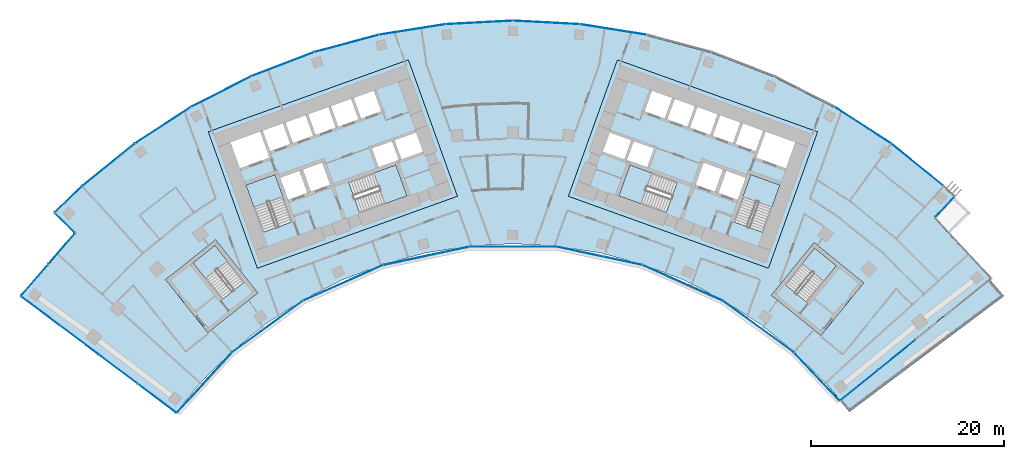
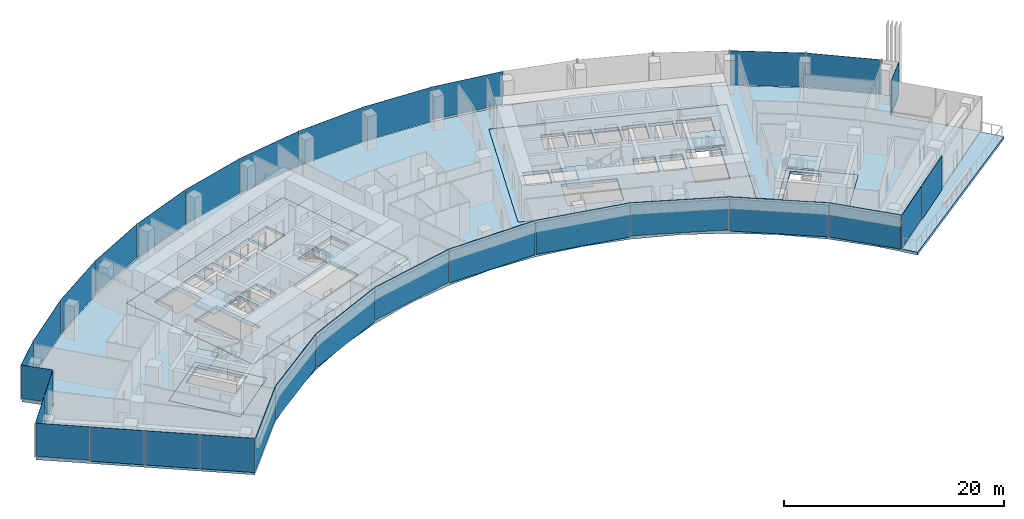
# One storey, part 11 of 21: 31 plates, 12 slabs, 13 elements without a shape of their own.
"""IFC4 building model written with IfcOpenShell, lengths in metres."""

from ifc_helpers import new_model, si_unit, direction, frame, origin, origin_2d, place, context, subcontext, project, spatial, polyline, rectangle, outline, extrude, material, layer, layer_set, type_object, element, aggregate, save


model = new_model("IFC4")

# Units and contexts
model_context = context("Model", 3, precision=1e-05, world=origin(), true_north=direction((0.0, 1.0)))
body_context = subcontext(model_context, "Body", "Model", "MODEL_VIEW")
ifc_project = project(units=[si_unit("LENGTHUNIT", "METRE"), si_unit("AREAUNIT", "SQUARE_METRE"), si_unit("VOLUMEUNIT", "CUBIC_METRE"), si_unit("PLANEANGLEUNIT", "RADIAN"), si_unit("MASSUNIT", "GRAM", prefix="KILO")], contexts=[model_context])

# Site, building, storey
site_placement = place(None, origin())
site = spatial("IfcSite", under=ifc_project, at=site_placement, CompositionType="ELEMENT")
building_placement = place(site_placement, origin())
building = spatial("IfcBuilding", under=site, at=building_placement, Name="Stone Belt Terrace Tower", CompositionType="ELEMENT")
storey_placement = place(building_placement, frame((0.0, 0.0, 159.199951171875)))
storey = spatial("IfcBuildingStorey", under=building, at=storey_placement, Name="L38", CompositionType="ELEMENT", Elevation=159.199951171875)

# Curtain wall, plates
ifc_material_1 = material(Name="Aluminium 6063-T6 anodised frame", Category="aluminium")
ifc_layer_1 = layer(ifc_material_1, 0.14990234375)
ifc_layer_set_1 = layer_set([ifc_layer_1], Name="CW-A unitised convex-face curtain wall")
curtain_wall_type_1 = type_object("IfcCurtainWallType", Name="CW-A unitised convex-face curtain wall", PredefinedType="NOTDEFINED", material=ifc_layer_set_1)
curtain_wall_1_placement = place(storey_placement, origin())
curtain_wall_1 = element("IfcCurtainWall", 1, at=curtain_wall_1_placement, inside=storey, type_object=curtain_wall_type_1, Name="CW-A convex face L38", PredefinedType="NOTDEFINED")
ifc_material_2 = material(Name="Clear double glazed unit")
ifc_layer_2 = layer(ifc_material_2, 0.031982421875)
ifc_layer_set_2 = layer_set([ifc_layer_2], Name="CW-A glass panel 32")
plate_type_1 = type_object("IfcPlateType", Name="CW-A glass panel 32", PredefinedType="CURTAIN_PANEL", material=ifc_layer_set_2)
plate_1_placement = place(storey_placement, frame((41.839599609375, 51.667724609375, 0.0), z_axis=(0.0, 0.0, 1.0), x_axis=(-0.777145961457, 0.62932039105, 0.0)))
plate_1 = element("IfcPlate", 2, at=plate_1_placement, type_object=plate_type_1, Name="CW-A panel 2.1", PredefinedType="CURTAIN_PANEL", context=body_context, shape_type="SweptSolid", body=[
    extrude(rectangle(XDim=6.900634765625, YDim=0.031982421875, at=origin_2d()), origin(), (0.0, 0.0, 1.0), 3.800048828125),
])
plate_2_placement = place(storey_placement, frame((36.209716796875, 55.758056640625, 0.0), z_axis=(0.0, 0.0, 1.0), x_axis=(-0.838670567945, 0.544639035015, 0.0)))
plate_2 = element("IfcPlate", 3, at=plate_2_placement, type_object=plate_type_1, Name="CW-A panel 3.1", PredefinedType="CURTAIN_PANEL", context=body_context, shape_type="SweptSolid", body=[
    extrude(rectangle(XDim=6.90087890625, YDim=0.031982421875, at=origin_2d()), origin(), (0.0, 0.0, 1.0), 3.800048828125),
])
plate_3_placement = place(storey_placement, frame((10.400390625, 65.665283203125, 0.14013671875), z_axis=(0.0, 0.0, 1.0), x_axis=(-0.987688340595, 0.15643446504, 0.0)))
plate_3 = element("IfcPlate", 4, at=plate_3_placement, type_object=plate_type_1, Name="CW-A panel 7.1", PredefinedType="CURTAIN_PANEL", context=body_context, shape_type="SweptSolid", body=[
    extrude(rectangle(XDim=6.90087890625, YDim=0.031982421875, at=origin_2d()), origin(), (0.0, 0.0, 1.0), 3.659912109375),
])
plate_4_placement = place(storey_placement, frame((3.4794921875, 66.392822265625, 0.0), z_axis=(0.0, 0.0, 1.0), x_axis=(-0.998629534755, 0.052335956243, 0.0)))
plate_4 = element("IfcPlate", 5, at=plate_4_placement, type_object=plate_type_1, Name="CW-A panel 8.1", PredefinedType="CURTAIN_PANEL", context=body_context, shape_type="SweptSolid", body=[
    extrude(rectangle(XDim=6.90087890625, YDim=0.031982421875, at=origin_2d()), origin(), (0.0, 0.0, 1.0), 3.800048828125),
])
plate_5_placement = place(storey_placement, frame((-3.4794921875, 66.392822265625, 0.0), z_axis=(0.0, 0.0, 1.0), x_axis=(-0.998629534755, -0.052335956243, 0.0)))
plate_5 = element("IfcPlate", 6, at=plate_5_placement, type_object=plate_type_1, Name="CW-A panel 9.1", PredefinedType="CURTAIN_PANEL", context=body_context, shape_type="SweptSolid", body=[
    extrude(rectangle(XDim=6.90087890625, YDim=0.031982421875, at=origin_2d()), origin(), (0.0, 0.0, 1.0), 3.800048828125),
])
plate_6_placement = place(storey_placement, frame((-10.400390625, 65.665283203125, 0.0), z_axis=(0.0, 0.0, 1.0), x_axis=(-0.987688340595, -0.15643446504, 0.0)))
plate_6 = element("IfcPlate", 7, at=plate_6_placement, type_object=plate_type_1, Name="CW-A panel 10.1", PredefinedType="CURTAIN_PANEL", context=body_context, shape_type="SweptSolid", body=[
    extrude(rectangle(XDim=6.90087890625, YDim=0.031982421875, at=origin_2d()), origin(), (0.0, 0.0, 1.0), 3.800048828125),
])
plate_7_placement = place(storey_placement, frame((-17.207275390625, 64.218505859375, 0.0), z_axis=(0.0, 0.0, 1.0), x_axis=(-0.965925826289, -0.258819045103, 0.0)))
plate_7 = element("IfcPlate", 8, at=plate_7_placement, type_object=plate_type_1, Name="CW-A panel 11.1", PredefinedType="CURTAIN_PANEL", context=body_context, shape_type="SweptSolid", body=[
    extrude(rectangle(XDim=6.90087890625, YDim=0.031982421875, at=origin_2d()), origin(), (0.0, 0.0, 1.0), 3.800048828125),
])
plate_8_placement = place(storey_placement, frame((-23.82568359375, 62.068115234375, 0.0), z_axis=(0.0, 0.0, 1.0), x_axis=(-0.933580426497, -0.358367949545, 0.0)))
plate_8 = element("IfcPlate", 9, at=plate_8_placement, type_object=plate_type_1, Name="CW-A panel 12.1", PredefinedType="CURTAIN_PANEL", context=body_context, shape_type="SweptSolid", body=[
    extrude(rectangle(XDim=6.90087890625, YDim=0.031982421875, at=origin_2d()), origin(), (0.0, 0.0, 1.0), 3.800048828125),
])
plate_9_placement = place(storey_placement, frame((-30.18310546875, 59.237548828125, 0.14013671875), z_axis=(0.0, 0.0, 1.0), x_axis=(-0.891006524188, -0.45399049974, 0.0)))
plate_9 = element("IfcPlate", 10, at=plate_9_placement, type_object=plate_type_1, Name="CW-A panel 13.1", PredefinedType="CURTAIN_PANEL", context=body_context, shape_type="SweptSolid", body=[
    extrude(rectangle(XDim=6.90087890625, YDim=0.031982421875, at=origin_2d()), origin(), (0.0, 0.0, 1.0), 3.659912109375),
])
plate_10_placement = place(storey_placement, frame((-36.209716796875, 55.758056640625, 0.0), z_axis=(0.0, 0.0, 1.0), x_axis=(-0.838670567945, -0.544639035015, 0.0)))
plate_10 = element("IfcPlate", 11, at=plate_10_placement, type_object=plate_type_1, Name="CW-A panel 14.1", PredefinedType="CURTAIN_PANEL", context=body_context, shape_type="SweptSolid", body=[
    extrude(rectangle(XDim=6.90087890625, YDim=0.031982421875, at=origin_2d()), origin(), (0.0, 0.0, 1.0), 3.800048828125),
])
plate_11_placement = place(storey_placement, frame((-41.839599609375, 51.667724609375, 0.0), z_axis=(0.0, 0.0, 1.0), x_axis=(-0.777145961457, -0.62932039105, 0.0)))
plate_11 = element("IfcPlate", 12, at=plate_11_placement, type_object=plate_type_1, Name="CW-A panel 15.1", PredefinedType="CURTAIN_PANEL", context=body_context, shape_type="SweptSolid", body=[
    extrude(rectangle(XDim=6.900634765625, YDim=0.031982421875, at=origin_2d()), origin(), (0.0, 0.0, 1.0), 3.800048828125),
])
plate_12_placement = place(storey_placement, frame((-45.9765625, 48.109619140625, 0.0), z_axis=(0.0, 0.0, 1.0), x_axis=(-0.723120883539, -0.690721497993, 0.0)))
plate_12 = element("IfcPlate", 13, at=plate_12_placement, type_object=plate_type_1, Name="CW-A panel 16.1", PredefinedType="CURTAIN_PANEL", context=body_context, shape_type="SweptSolid", body=[
    extrude(rectangle(XDim=3.888671875, YDim=0.031982421875, at=origin_2d()), origin(), (0.0, 0.0, 1.0), 3.800048828125),
])
aggregate(curtain_wall_1, [plate_1, plate_2, plate_3, plate_4, plate_5, plate_6, plate_7, plate_8, plate_9, plate_10, plate_11, plate_12])

ifc_layer_3 = layer(ifc_material_1, 0.14990234375)
ifc_layer_set_3 = layer_set([ifc_layer_3], Name="CW-B unitised concave-face curtain wall")
curtain_wall_type_2 = type_object("IfcCurtainWallType", Name="CW-B unitised concave-face curtain wall", PredefinedType="NOTDEFINED", material=ifc_layer_set_3)
curtain_wall_2_placement = place(storey_placement, origin())
curtain_wall_2 = element("IfcCurtainWall", 14, at=curtain_wall_2_placement, inside=storey, type_object=curtain_wall_type_2, Name="CW-B concave face L38", PredefinedType="NOTDEFINED")
ifc_layer_4 = layer(ifc_material_2, 0.030029296875)
ifc_layer_set_4 = layer_set([ifc_layer_4], Name="CW-B glass panel 30")
plate_type_2 = type_object("IfcPlateType", Name="CW-B glass panel 30", PredefinedType="CURTAIN_PANEL", material=ifc_layer_set_4)
plate_13_placement = place(storey_placement, frame((-31.9111328125, 29.148681640625, 0.1201171875), z_axis=(0.0, 0.0, 1.0), x_axis=(0.674760998748, 0.73803630979, 0.0)))
plate_13 = element("IfcPlate", 15, at=plate_13_placement, type_object=plate_type_2, Name="CW-B panel 1.1", PredefinedType="CURTAIN_PANEL", context=body_context, shape_type="SweptSolid", body=[
    extrude(rectangle(XDim=8.39501953125, YDim=0.030029296875, at=origin_2d()), origin(), (0.0, 0.0, 1.0), 3.679931640625),
])
plate_14_placement = place(storey_placement, frame((-25.384765625, 34.938720703125, 0.0), z_axis=(0.0, 0.0, 1.0), x_axis=(0.809016994375, 0.587785252292, 0.0)))
plate_14 = element("IfcPlate", 16, at=plate_14_placement, type_object=plate_type_2, Name="CW-B panel 2.1", PredefinedType="CURTAIN_PANEL", context=body_context, shape_type="SweptSolid", body=[
    extrude(rectangle(XDim=9.013427734375, YDim=0.030029296875, at=origin_2d()), origin(), (0.0, 0.0, 1.0), 3.800048828125),
])
plate_15_placement = place(storey_placement, frame((-17.565673828125, 39.453125, 0.0), z_axis=(0.0, 0.0, 1.0), x_axis=(0.913545457643, 0.406736643076, 0.0)))
plate_15 = element("IfcPlate", 17, at=plate_15_placement, type_object=plate_type_2, Name="CW-B panel 3.1", PredefinedType="CURTAIN_PANEL", context=body_context, shape_type="SweptSolid", body=[
    extrude(rectangle(XDim=9.0126953125, YDim=0.030029296875, at=origin_2d()), origin(), (0.0, 0.0, 1.0), 3.800048828125),
])
plate_16_placement = place(storey_placement, frame((-8.97900390625, 42.242919921875, 0.1201171875), z_axis=(0.0, 0.0, 1.0), x_axis=(0.978147600734, 0.207911690818, 0.0)))
plate_16 = element("IfcPlate", 18, at=plate_16_placement, type_object=plate_type_2, Name="CW-B panel 4.1", PredefinedType="CURTAIN_PANEL", context=body_context, shape_type="SweptSolid", body=[
    extrude(rectangle(XDim=9.0126953125, YDim=0.030029296875, at=origin_2d()), origin(), (0.0, 0.0, 1.0), 3.679931640625),
])
plate_17_placement = place(storey_placement, frame((0.0, 43.186767578125, 0.0), z_axis=(0.0, 0.0, 1.0), x_axis=(1.0, 0.0, 0.0)))
plate_17 = element("IfcPlate", 19, at=plate_17_placement, type_object=plate_type_2, Name="CW-B panel 5.1", PredefinedType="CURTAIN_PANEL", context=body_context, shape_type="SweptSolid", body=[
    extrude(rectangle(XDim=9.0126953125, YDim=0.030029296875, at=origin_2d()), origin(), (0.0, 0.0, 1.0), 3.800048828125),
])
plate_18_placement = place(storey_placement, frame((8.97900390625, 42.242919921875, 0.0), z_axis=(0.0, 0.0, 1.0), x_axis=(0.978147600734, -0.207911690818, 0.0)))
plate_18 = element("IfcPlate", 20, at=plate_18_placement, type_object=plate_type_2, Name="CW-B panel 6.1", PredefinedType="CURTAIN_PANEL", context=body_context, shape_type="SweptSolid", body=[
    extrude(rectangle(XDim=9.0126953125, YDim=0.030029296875, at=origin_2d()), origin(), (0.0, 0.0, 1.0), 3.800048828125),
])
plate_19_placement = place(storey_placement, frame((17.565673828125, 39.453125, 0.1201171875), z_axis=(0.0, 0.0, 1.0), x_axis=(0.913545457643, -0.406736643076, 0.0)))
plate_19 = element("IfcPlate", 21, at=plate_19_placement, type_object=plate_type_2, Name="CW-B panel 7.1", PredefinedType="CURTAIN_PANEL", context=body_context, shape_type="SweptSolid", body=[
    extrude(rectangle(XDim=9.0126953125, YDim=0.030029296875, at=origin_2d()), origin(), (0.0, 0.0, 1.0), 3.679931640625),
])
plate_20_placement = place(storey_placement, frame((25.38525390625, 34.938232421875, 0.0), z_axis=(0.0, 0.0, 1.0), x_axis=(0.809016994375, -0.587785252292, 0.0)))
plate_20 = element("IfcPlate", 22, at=plate_20_placement, type_object=plate_type_2, Name="CW-B panel 8.1", PredefinedType="CURTAIN_PANEL", context=body_context, shape_type="SweptSolid", body=[
    extrude(rectangle(XDim=9.0146484375, YDim=0.030029296875, at=origin_2d()), origin(), (0.0, 0.0, 1.0), 3.800048828125),
])
plate_21_placement = place(storey_placement, frame((31.42626953125, 29.77197265625, 0.0), z_axis=(0.0, 0.0, 1.0), x_axis=(0.688067573759, -0.725646617811, 0.0)))
plate_21 = element("IfcPlate", 23, at=plate_21_placement, type_object=plate_type_2, Name="CW-B panel 9.1", PredefinedType="CURTAIN_PANEL", context=body_context, shape_type="SweptSolid", body=[
    extrude(rectangle(XDim=6.821533203125, YDim=0.030029296875, at=origin_2d()), origin(), (0.0, 0.0, 1.0), 3.800048828125),
])
aggregate(curtain_wall_2, [plate_13, plate_14, plate_15, plate_16, plate_17, plate_18, plate_19, plate_20, plate_21])

ifc_layer_5 = layer(ifc_material_1, 0.14990234375)
ifc_layer_set_5 = layer_set([ifc_layer_5], Name="CW-C stick curtain wall, horn ends and notches")
curtain_wall_type_3 = type_object("IfcCurtainWallType", Name="CW-C stick curtain wall, horn ends and notches", PredefinedType="NOTDEFINED", material=ifc_layer_set_5)
curtain_wall_3_placement = place(storey_placement, origin())
curtain_wall_3 = element("IfcCurtainWall", 24, at=curtain_wall_3_placement, inside=storey, type_object=curtain_wall_type_3, Name="CW-C end face L38", PredefinedType="NOTDEFINED")
ifc_layer_6 = layer(ifc_material_2, 0.028076171875)
ifc_layer_set_6 = layer_set([ifc_layer_6], Name="CW-C glass panel 28")
plate_type_3 = type_object("IfcPlateType", Name="CW-C glass panel 28", PredefinedType="CURTAIN_PANEL", material=ifc_layer_set_6)
plate_22_placement = place(storey_placement, frame((35.80859375, 28.853759765625, 0.1201171875), z_axis=(0.0, 0.0, 1.0), x_axis=(0.777643619096, 0.628705337721, 0.0)))
plate_22 = element("IfcPlate", 25, at=plate_22_placement, type_object=plate_type_3, Name="CW-C panel 1.1", PredefinedType="CURTAIN_PANEL", context=body_context, shape_type="SweptSolid", body=[
    extrude(rectangle(XDim=4.96630859375, YDim=0.028076171875, at=origin_2d()), origin(), (0.0, 0.0, 1.0), 3.679931640625),
])
plate_23_placement = place(storey_placement, frame((39.70703125, 32.005615234375, 0.0), z_axis=(0.0, 0.0, 1.0), x_axis=(0.777643619096, 0.628705337721, 0.0)))
plate_23 = element("IfcPlate", 26, at=plate_23_placement, type_object=plate_type_3, Name="CW-C panel 2.1", PredefinedType="CURTAIN_PANEL", context=body_context, shape_type="SweptSolid", body=[
    extrude(rectangle(XDim=4.93994140625, YDim=0.028076171875, at=origin_2d()), origin(), (0.0, 0.0, 1.0), 3.800048828125),
])
aggregate(curtain_wall_3, [plate_22, plate_23])

# Curtain wall, plate
curtain_wall_4_placement = place(storey_placement, origin())
curtain_wall_4 = element("IfcCurtainWall", 27, at=curtain_wall_4_placement, inside=storey, type_object=curtain_wall_type_3, Name="CW-C notch face L38", PredefinedType="NOTDEFINED")
plate_24_placement = place(storey_placement, frame((44.675048828125, 47.3134765625, 0.1201171875), z_axis=(0.0, 0.0, 1.0), x_axis=(0.685704214398, 0.72788029947, 0.0)))
plate_24 = element("IfcPlate", 28, at=plate_24_placement, type_object=plate_type_3, Name="CW-C panel 1.1", PredefinedType="CURTAIN_PANEL", context=body_context, shape_type="SweptSolid", body=[
    extrude(rectangle(XDim=2.858154296875, YDim=0.028076171875, at=origin_2d()), origin(), (0.0, 0.0, 1.0), 3.679931640625),
])
aggregate(curtain_wall_4, [plate_24])

curtain_wall_5_placement = place(storey_placement, origin())
curtain_wall_5 = element("IfcCurtainWall", 29, at=curtain_wall_5_placement, inside=storey, type_object=curtain_wall_type_3, Name="CW-C notch face L38", PredefinedType="NOTDEFINED")
plate_25_placement = place(storey_placement, frame((-46.365966796875, 45.658447265625, 0.1201171875), z_axis=(0.0, 0.0, 1.0), x_axis=(0.711713447851, -0.702469905511, 0.0)))
plate_25 = element("IfcPlate", 30, at=plate_25_placement, type_object=plate_type_3, Name="CW-C panel 1.1", PredefinedType="CURTAIN_PANEL", context=body_context, shape_type="SweptSolid", body=[
    extrude(rectangle(XDim=2.859375, YDim=0.028076171875, at=origin_2d()), origin(), (0.0, 0.0, 1.0), 3.679931640625),
])
aggregate(curtain_wall_5, [plate_25])

# Curtain wall, plates
curtain_wall_6_placement = place(storey_placement, origin())
curtain_wall_6 = element("IfcCurtainWall", 31, at=curtain_wall_6_placement, inside=storey, type_object=curtain_wall_type_3, Name="CW-C notch face L38", PredefinedType="NOTDEFINED")
plate_26_placement = place(storey_placement, frame((-46.68896484375, 42.986572265625, 0.1201171875), z_axis=(0.0, 0.0, 1.0), x_axis=(-0.652737860281, -0.757583847343, 0.0)))
plate_26 = element("IfcPlate", 32, at=plate_26_placement, type_object=plate_type_3, Name="CW-C panel 1.1", PredefinedType="CURTAIN_PANEL", context=body_context, shape_type="SweptSolid", body=[
    extrude(rectangle(XDim=4.12060546875, YDim=0.028076171875, at=origin_2d()), origin(), (0.0, 0.0, 1.0), 3.679931640625),
])
plate_27_placement = place(storey_placement, frame((-49.466064453125, 39.76318359375, 0.0), z_axis=(0.0, 0.0, 1.0), x_axis=(-0.652737860281, -0.757583847343, 0.0)))
plate_27 = element("IfcPlate", 33, at=plate_27_placement, type_object=plate_type_3, Name="CW-C panel 2.1", PredefinedType="CURTAIN_PANEL", context=body_context, shape_type="SweptSolid", body=[
    extrude(rectangle(XDim=4.268798828125, YDim=0.028076171875, at=origin_2d()), origin(), (0.0, 0.0, 1.0), 3.800048828125),
])
aggregate(curtain_wall_6, [plate_26, plate_27])

curtain_wall_7_placement = place(storey_placement, origin())
curtain_wall_7 = element("IfcCurtainWall", 34, at=curtain_wall_7_placement, inside=storey, type_object=curtain_wall_type_3, Name="CW-C end face L38", PredefinedType="NOTDEFINED")
plate_28_placement = place(storey_placement, frame((-48.858154296875, 36.551513671875, 0.1201171875), z_axis=(0.0, 0.0, 1.0), x_axis=(0.799986505357, -0.600017992436, 0.0)))
plate_28 = element("IfcPlate", 35, at=plate_28_placement, type_object=plate_type_3, Name="CW-C panel 1.1", PredefinedType="CURTAIN_PANEL", context=body_context, shape_type="SweptSolid", body=[
    extrude(rectangle(XDim=4.974853515625, YDim=0.028076171875, at=origin_2d()), origin(), (0.0, 0.0, 1.0), 3.679931640625),
])
plate_29_placement = place(storey_placement, frame((-44.84423828125, 33.541015625, 0.0), z_axis=(0.0, 0.0, 1.0), x_axis=(0.799986505357, -0.600017992436, 0.0)))
plate_29 = element("IfcPlate", 36, at=plate_29_placement, type_object=plate_type_3, Name="CW-C panel 2.1", PredefinedType="CURTAIN_PANEL", context=body_context, shape_type="SweptSolid", body=[
    extrude(rectangle(XDim=4.93994140625, YDim=0.028076171875, at=origin_2d()), origin(), (0.0, 0.0, 1.0), 3.800048828125),
])
plate_30_placement = place(storey_placement, frame((-40.84423828125, 30.541015625, 0.0), z_axis=(0.0, 0.0, 1.0), x_axis=(0.799986505357, -0.600017992436, 0.0)))
plate_30 = element("IfcPlate", 37, at=plate_30_placement, type_object=plate_type_3, Name="CW-C panel 3.1", PredefinedType="CURTAIN_PANEL", context=body_context, shape_type="SweptSolid", body=[
    extrude(rectangle(XDim=4.93994140625, YDim=0.028076171875, at=origin_2d()), origin(), (0.0, 0.0, 1.0), 3.800048828125),
])
plate_31_placement = place(storey_placement, frame((-36.834228515625, 27.533203125, 0.0), z_axis=(0.0, 0.0, 1.0), x_axis=(0.799986505357, -0.600017992436, 0.0)))
plate_31 = element("IfcPlate", 38, at=plate_31_placement, type_object=plate_type_3, Name="CW-C panel 4.1", PredefinedType="CURTAIN_PANEL", context=body_context, shape_type="SweptSolid", body=[
    extrude(rectangle(XDim=4.96533203125, YDim=0.028076171875, at=origin_2d()), origin(), (0.0, 0.0, 1.0), 3.800048828125),
])
aggregate(curtain_wall_7, [plate_28, plate_29, plate_30, plate_31])

# Slabs
ifc_material_3 = material(Name="Concrete B40", Category="concrete")
ifc_layer_7 = layer(ifc_material_3, 0.320068359375)
ifc_layer_set_7 = layer_set([ifc_layer_7], Name="Core floor slab 320")
slab_type_1 = type_object("IfcSlabType", Name="Core floor slab 320", PredefinedType="FLOOR", material=ifc_layer_set_7)
slab_1_placement = place(storey_placement, frame((0.0, 0.0, -0.320068359375)))
element("IfcSlab", 39, at=slab_1_placement, inside=storey, type_object=slab_type_1, Name="Core A floor L38", PredefinedType="FLOOR", context=body_context, shape_type="SweptSolid", body=[
    extrude(outline(polyline([(-26.43505859375, 40.968994140625), (-5.735107421875, 48.4189453125), (-10.81396484375, 62.531982421875), (-31.513916015625, 55.0830078125), (-26.43505859375, 40.968994140625)]), holes=[polyline([(-24.60791015625, 50.659912109375), (-22.847900390625, 45.76806640625), (-25.85888671875, 44.68408203125), (-27.618896484375, 49.575927734375), (-24.60791015625, 50.659912109375)]), polyline([(-23.25, 48.06689453125), (-24.06298828125, 50.324951171875), (-22.0869140625, 51.035888671875), (-21.27392578125, 48.778076171875), (-23.25, 48.06689453125)]), polyline([(-20.89794921875, 48.9130859375), (-21.7109375, 51.1708984375), (-19.735107421875, 51.883056640625), (-18.922119140625, 49.6240234375), (-20.89794921875, 48.9130859375)]), polyline([(-28.24609375, 51.31689453125), (-29.2109375, 53.9990234375), (-26.153076171875, 55.09912109375), (-25.18798828125, 52.41796875), (-28.24609375, 51.31689453125)]), polyline([(-23.801025390625, 55.946044921875), (-23.0390625, 53.8291015625), (-25.10888671875, 53.083984375), (-25.87109375, 55.200927734375), (-23.801025390625, 55.946044921875)]), polyline([(-21.447998046875, 56.7919921875), (-20.68603515625, 54.675048828125), (-22.756103515625, 53.929931640625), (-23.51806640625, 56.047119140625), (-21.447998046875, 56.7919921875)]), polyline([(-10.955078125, 48.452880859375), (-15.846923828125, 46.69189453125), (-16.998046875, 49.89208984375), (-12.10595703125, 51.652099609375), (-10.955078125, 48.452880859375)]), polyline([(-11.847900390625, 52.116943359375), (-11.864990234375, 52.1640625), (-13.887939453125, 51.43603515625), (-14.58203125, 53.364990234375), (-12.511962890625, 54.110107421875), (-11.801025390625, 52.134033203125), (-11.847900390625, 52.116943359375)]), polyline([(-9.30810546875, 53.031005859375), (-11.51904296875, 52.235107421875), (-12.22998046875, 54.2109375), (-10.01904296875, 55.007080078125), (-9.30810546875, 53.031005859375)]), polyline([(-21.166015625, 56.89404296875), (-19.095947265625, 57.638916015625), (-18.333984375, 55.52197265625), (-20.404052734375, 54.777099609375), (-21.166015625, 56.89404296875)]), polyline([(-16.743896484375, 58.485107421875), (-15.98193359375, 56.367919921875), (-18.052001953125, 55.623046875), (-18.81396484375, 57.739990234375), (-16.743896484375, 58.485107421875)]), polyline([(-14.39111328125, 59.33203125), (-13.6298828125, 57.215087890625), (-15.699951171875, 56.469970703125), (-16.4609375, 58.5869140625), (-14.39111328125, 59.33203125)])]), origin(), (0.0, 0.0, 1.0), 0.320068359375),
])
slab_2_placement = place(storey_placement, frame((0.0, 0.0, -0.320068359375)))
element("IfcSlab", 40, at=slab_2_placement, inside=storey, type_object=slab_type_1, Name="Core B floor L38", PredefinedType="FLOOR", context=body_context, shape_type="SweptSolid", body=[
    extrude(outline(polyline([(26.43505859375, 40.968994140625), (31.513916015625, 55.0830078125), (10.81396484375, 62.531982421875), (5.735107421875, 48.4189453125), (26.43505859375, 40.968994140625)]), holes=[polyline([(12.10595703125, 51.652099609375), (16.998046875, 49.89208984375), (15.846923828125, 46.69189453125), (10.955078125, 48.452880859375), (12.10595703125, 51.652099609375)]), polyline([(12.511962890625, 54.110107421875), (14.58203125, 53.364990234375), (13.887939453125, 51.43603515625), (11.864990234375, 52.1640625), (11.847900390625, 52.116943359375), (11.801025390625, 52.134033203125), (12.511962890625, 54.110107421875)]), polyline([(9.30810546875, 53.031005859375), (10.01904296875, 55.007080078125), (12.22998046875, 54.2109375), (11.51904296875, 52.235107421875), (9.30810546875, 53.031005859375)]), polyline([(18.333984375, 55.52197265625), (19.095947265625, 57.638916015625), (21.166015625, 56.89404296875), (20.404052734375, 54.777099609375), (18.333984375, 55.52197265625)]), polyline([(16.743896484375, 58.485107421875), (18.81396484375, 57.739990234375), (18.052001953125, 55.623046875), (15.98193359375, 56.367919921875), (16.743896484375, 58.485107421875)]), polyline([(14.39111328125, 59.33203125), (16.4609375, 58.5869140625), (15.699951171875, 56.469970703125), (13.6298828125, 57.215087890625), (14.39111328125, 59.33203125)]), polyline([(27.618896484375, 49.575927734375), (25.85888671875, 44.68408203125), (22.847900390625, 45.76806640625), (24.60791015625, 50.659912109375), (27.618896484375, 49.575927734375)]), polyline([(23.25, 48.06689453125), (21.27392578125, 48.778076171875), (22.0869140625, 51.035888671875), (24.06298828125, 50.324951171875), (23.25, 48.06689453125)]), polyline([(20.89794921875, 48.9130859375), (18.922119140625, 49.6240234375), (19.735107421875, 51.883056640625), (21.7109375, 51.1708984375), (20.89794921875, 48.9130859375)]), polyline([(26.153076171875, 55.09912109375), (29.2109375, 53.9990234375), (28.24609375, 51.31689453125), (25.18798828125, 52.41796875), (26.153076171875, 55.09912109375)]), polyline([(23.801025390625, 55.946044921875), (25.87109375, 55.200927734375), (25.10888671875, 53.083984375), (23.0390625, 53.8291015625), (23.801025390625, 55.946044921875)]), polyline([(21.447998046875, 56.7919921875), (23.51806640625, 56.047119140625), (22.756103515625, 53.929931640625), (20.68603515625, 54.675048828125), (21.447998046875, 56.7919921875)])]), origin(), (0.0, 0.0, 1.0), 0.320068359375),
])
slab_3_placement = place(storey_placement, frame((0.0, 0.0, -0.320068359375)))
element("IfcSlab", 41, at=slab_3_placement, inside=storey, type_object=slab_type_1, Name="Exit stair ST3A floor L38", PredefinedType="FLOOR", context=body_context, shape_type="SweptSolid", body=[
    extrude(outline(polyline([(-26.39404296875, 38.425048828125), (-30.756103515625, 43.89990234375), (-35.91796875, 39.787109375), (-31.555908203125, 34.31298828125), (-26.39404296875, 38.425048828125)]), holes=[polyline([(-27.798095703125, 39.544921875), (-30.06591796875, 37.738037109375), (-33.087890625, 41.531005859375), (-30.820068359375, 43.337890625), (-27.798095703125, 39.544921875)])]), origin(), (0.0, 0.0, 1.0), 0.320068359375),
])
slab_4_placement = place(storey_placement, frame((0.0, 0.0, -0.320068359375)))
element("IfcSlab", 42, at=slab_4_placement, inside=storey, type_object=slab_type_1, Name="Exit stair ST3B floor L38", PredefinedType="FLOOR", context=body_context, shape_type="SweptSolid", body=[
    extrude(outline(polyline([(26.741943359375, 38.18408203125), (31.866943359375, 34.02392578125), (36.278076171875, 39.458984375), (31.154052734375, 43.618896484375), (26.741943359375, 38.18408203125)]), holes=[polyline([(30.407958984375, 37.462890625), (28.156005859375, 39.291015625), (31.2119140625, 43.055908203125), (33.464111328125, 41.22802734375), (30.407958984375, 37.462890625)])]), origin(), (0.0, 0.0, 1.0), 0.320068359375),
])
ifc_layer_8 = layer(ifc_material_3, 0.320068359375)
ifc_layer_set_8 = layer_set([ifc_layer_8], Name="Floor slab 320 B40")
slab_type_2 = type_object("IfcSlabType", Name="Floor slab 320 B40", PredefinedType="FLOOR", material=ifc_layer_set_8)
slab_5_placement = place(storey_placement, frame((0.0, 0.0, -0.320068359375)))
element("IfcSlab", 43, at=slab_5_placement, inside=storey, type_object=slab_type_2, Name="Floor slab L38", PredefinedType="FLOOR", context=body_context, shape_type="SweptSolid", body=[
    extrude(outline(polyline([(-44.497314453125, 49.419189453125), (-39.087646484375, 53.799560546875), (-33.25, 57.5908203125), (-27.048095703125, 60.750732421875), (-20.549560546875, 63.245361328125), (-13.826171875, 65.046875), (-6.951171875, 66.1357421875), (0.0, 66.5), (6.951171875, 66.1357421875), (13.826171875, 65.046875), (20.549560546875, 63.245361328125), (27.048095703125, 60.750732421875), (33.25, 57.5908203125), (39.087646484375, 53.799560546875), (44.497314453125, 49.419189453125), (45.599365234375, 48.404052734375), (43.542236328125, 46.220458984375), (49.38037109375, 39.9228515625), (33.827392578125, 27.3486328125), (32.326904296875, 29.107177734375), (29.107177734375, 32.326904296875), (25.568603515625, 35.192138671875), (21.75, 37.672119140625), (17.693115234375, 39.7392578125), (13.442138671875, 41.37109375), (9.044189453125, 42.54931640625), (4.547119140625, 43.26171875), (0.0, 43.5), (-4.547119140625, 43.26171875), (-9.044189453125, 42.54931640625), (-13.442138671875, 41.37109375), (-17.693115234375, 39.7392578125), (-21.75, 37.672119140625), (-25.568603515625, 35.192138671875), (-29.107177734375, 32.326904296875), (-32.326904296875, 29.107177734375), (-34.79931640625, 26.100830078125), (-50.799072265625, 38.10107421875), (-45.19384765625, 44.606689453125), (-47.328857421875, 46.714111328125), (-44.497314453125, 49.419189453125)]), holes=[polyline([(-26.434814453125, 40.968994140625), (-5.734619140625, 48.418701171875), (-10.81396484375, 62.532470703125), (-31.51416015625, 55.082763671875), (-26.434814453125, 40.968994140625)]), polyline([(10.81396484375, 62.532470703125), (5.734619140625, 48.418701171875), (26.434814453125, 40.968994140625), (31.51416015625, 55.082763671875), (10.81396484375, 62.532470703125)]), polyline([(-35.91796875, 39.787353515625), (-31.55615234375, 34.3125), (-26.39404296875, 38.425048828125), (-30.756103515625, 43.89990234375), (-35.91796875, 39.787353515625)]), polyline([(36.2783203125, 39.459228515625), (31.15380859375, 43.61865234375), (26.742431640625, 38.18359375), (31.86669921875, 34.024169921875), (36.2783203125, 39.459228515625)])]), origin(), (0.0, 0.0, 1.0), 0.320068359375),
])

# Stair, slab
stair_type = type_object("IfcStairType", Name="Exit stair 1500", PredefinedType="HALF_TURN_STAIR", material=ifc_material_3)
stair_1_placement = place(storey_placement, origin())
stair_1 = element("IfcStair", 44, at=stair_1_placement, inside=storey, type_object=stair_type, Name="L38 Exit stair 1 core A", PredefinedType="HALF_TURN_STAIR")
ifc_layer_9 = layer(ifc_material_3, 0.199951171875)
ifc_layer_set_9 = layer_set([ifc_layer_9], Name="Stair landing 200")
slab_type_3 = type_object("IfcSlabType", Name="Stair landing 200", PredefinedType="LANDING", material=ifc_layer_set_9)
slab_6_placement = place(storey_placement, frame((0.0, 0.0, 1.699951171875)))
slab_6 = element("IfcSlab", 45, at=slab_6_placement, type_object=slab_type_3, Name="ST1A landing 1", PredefinedType="LANDING", context=body_context, shape_type="SweptSolid", body=[
    extrude(outline(polyline([(-23.79541015625, 48.40087890625), (-24.6083984375, 50.659912109375), (-27.619384765625, 49.576171875), (-26.806396484375, 47.3173828125), (-23.79541015625, 48.40087890625)])), origin(), (0.0, 0.0, 1.0), 0.2001953125),
])
aggregate(stair_1, [slab_6])

stair_2_placement = place(storey_placement, origin())
stair_2 = element("IfcStair", 46, at=stair_2_placement, inside=storey, type_object=stair_type, Name="L38 Exit stair 2 core A", PredefinedType="HALF_TURN_STAIR")
slab_7_placement = place(storey_placement, frame((0.0, 0.0, 1.699951171875)))
slab_7 = element("IfcSlab", 47, at=slab_7_placement, type_object=slab_type_3, Name="ST2A landing 1", PredefinedType="LANDING", context=body_context, shape_type="SweptSolid", body=[
    extrude(outline(polyline([(-13.213623046875, 47.64013671875), (-10.95458984375, 48.453125), (-12.10595703125, 51.652099609375), (-14.36474609375, 50.839111328125), (-13.213623046875, 47.64013671875)])), origin(), (0.0, 0.0, 1.0), 0.2001953125),
])
aggregate(stair_2, [slab_7])

stair_3_placement = place(storey_placement, origin())
stair_3 = element("IfcStair", 48, at=stair_3_placement, inside=storey, type_object=stair_type, Name="L38 Exit stair 1 core B", PredefinedType="HALF_TURN_STAIR")
slab_8_placement = place(storey_placement, frame((0.0, 0.0, 1.699951171875)))
slab_8 = element("IfcSlab", 49, at=slab_8_placement, type_object=slab_type_3, Name="ST1B landing 1", PredefinedType="LANDING", context=body_context, shape_type="SweptSolid", body=[
    extrude(outline(polyline([(26.806396484375, 47.3173828125), (27.619384765625, 49.576171875), (24.6083984375, 50.659912109375), (23.79541015625, 48.40087890625), (26.806396484375, 47.3173828125)])), origin(), (0.0, 0.0, 1.0), 0.2001953125),
])
aggregate(stair_3, [slab_8])

stair_4_placement = place(storey_placement, origin())
stair_4 = element("IfcStair", 50, at=stair_4_placement, inside=storey, type_object=stair_type, Name="L38 Exit stair 2 core B", PredefinedType="HALF_TURN_STAIR")
slab_9_placement = place(storey_placement, frame((0.0, 0.0, 1.699951171875)))
slab_9 = element("IfcSlab", 51, at=slab_9_placement, type_object=slab_type_3, Name="ST2B landing 1", PredefinedType="LANDING", context=body_context, shape_type="SweptSolid", body=[
    extrude(outline(polyline([(14.36474609375, 50.839111328125), (12.10595703125, 51.652099609375), (10.95458984375, 48.453125), (13.213623046875, 47.64013671875), (14.36474609375, 50.839111328125)])), origin(), (0.0, 0.0, 1.0), 0.2001953125),
])
aggregate(stair_4, [slab_9])

stair_5_placement = place(storey_placement, origin())
stair_5 = element("IfcStair", 52, at=stair_5_placement, inside=storey, type_object=stair_type, Name="L38 Exit stair 3A", PredefinedType="HALF_TURN_STAIR")
slab_10_placement = place(storey_placement, frame((0.0, 0.0, 1.699951171875)))
slab_10 = element("IfcSlab", 53, at=slab_10_placement, type_object=slab_type_3, Name="ST3A landing 1", PredefinedType="LANDING", context=body_context, shape_type="SweptSolid", body=[
    extrude(outline(polyline([(-29.541748046875, 41.73388671875), (-30.819580078125, 43.337890625), (-33.087646484375, 41.53076171875), (-31.809814453125, 39.9267578125), (-29.541748046875, 41.73388671875)])), origin(), (0.0, 0.0, 1.0), 0.2001953125),
])
aggregate(stair_5, [slab_10])

stair_6_placement = place(storey_placement, origin())
stair_6 = element("IfcStair", 54, at=stair_6_placement, inside=storey, type_object=stair_type, Name="L38 Exit stair 3B", PredefinedType="HALF_TURN_STAIR")
slab_11_placement = place(storey_placement, frame((0.0, 0.0, 1.699951171875)))
slab_11 = element("IfcSlab", 55, at=slab_11_placement, type_object=slab_type_3, Name="ST3B landing 1", PredefinedType="LANDING", context=body_context, shape_type="SweptSolid", body=[
    extrude(outline(polyline([(32.17138671875, 39.635986328125), (33.4638671875, 41.228271484375), (31.21240234375, 43.055908203125), (29.919921875, 41.463623046875), (32.17138671875, 39.635986328125)])), origin(), (0.0, 0.0, 1.0), 0.2001953125),
])
aggregate(stair_6, [slab_11])

# Slab
ifc_layer_10 = layer(ifc_material_3, 0.300048828125)
ifc_layer_set_10 = layer_set([ifc_layer_10], Name="Terrace slab 300 B40")
slab_type_4 = type_object("IfcSlabType", Name="Terrace slab 300 B40", PredefinedType="FLOOR", material=ifc_layer_set_10)
slab_12_placement = place(storey_placement, frame((0.0, 0.0, -0.300048828125)))
element("IfcSlab", 56, at=slab_12_placement, inside=storey, type_object=slab_type_4, Name="Terrace slab L38-stack_terrace-1", PredefinedType="FLOOR", context=body_context, shape_type="SweptSolid", body=[
    extrude(outline(polyline([(34.79931640625, 26.100830078125), (50.799072265625, 38.10107421875), (49.29150390625, 39.850830078125), (33.827392578125, 27.3486328125), (32.463134765625, 28.947509765625), (32.460205078125, 28.945068359375), (34.79931640625, 26.100830078125)])), origin(), (0.0, 0.0, 1.0), 0.300048828125),
])

save(model, "model.ifc")
